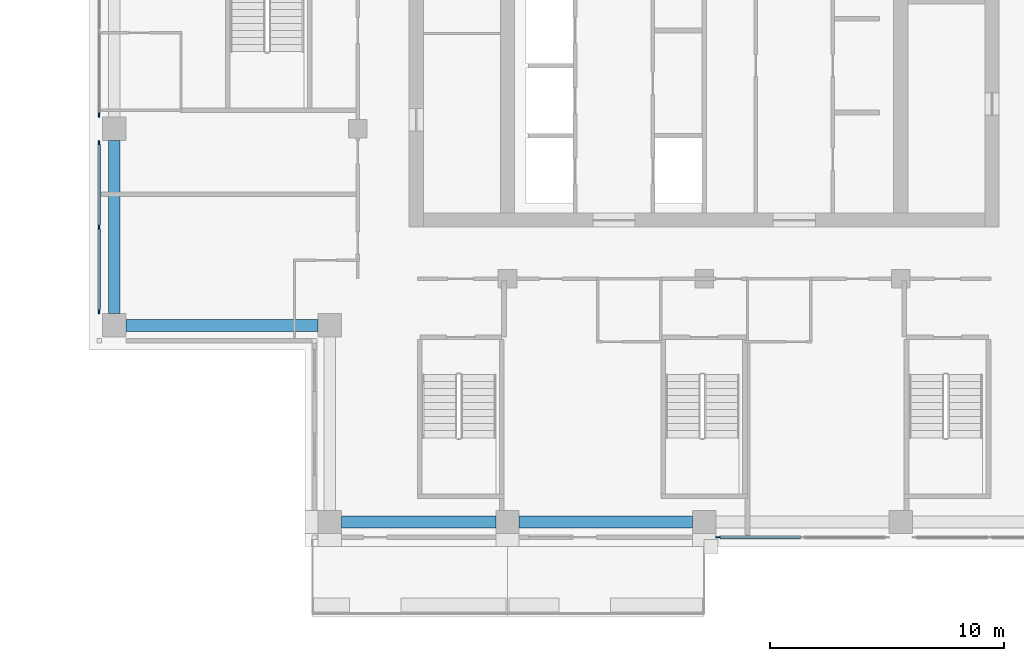
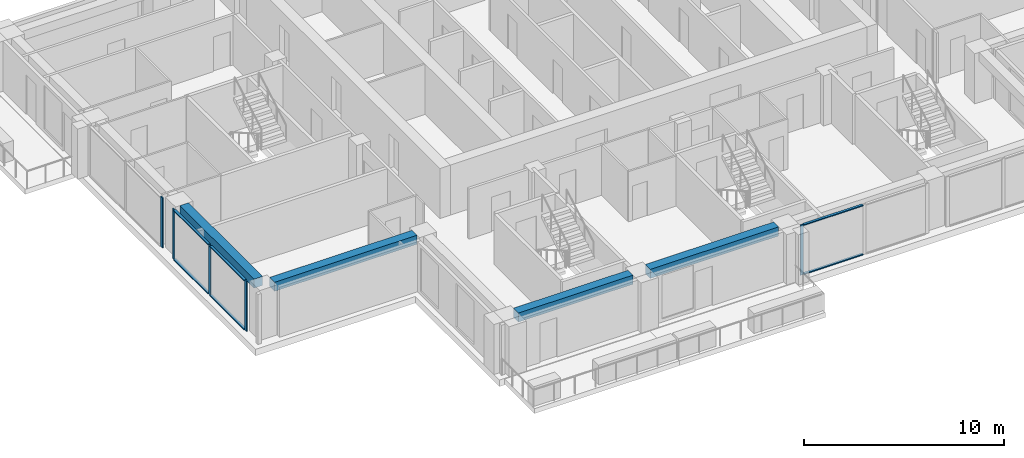
# One storey, part 2 of 15: 11 members, 4 beams, 3 elements without a shape of their own.
"""IFC4 building model written with IfcOpenShell, lengths in metres."""

from ifc_helpers import new_model, si_unit, direction, frame, origin, origin_2d, place, context, subcontext, project, spatial, rectangle, extrude, material, material_profile, profile_set, type_object, element, aggregate, save


model = new_model("IFC4")

# Units and contexts
model_context = context("Model", 3, precision=1e-05, world=origin(), true_north=direction((0.0, 1.0)))
body_context = subcontext(model_context, "Body", "Model", "MODEL_VIEW")
ifc_project = project(units=[si_unit("LENGTHUNIT", "METRE"), si_unit("AREAUNIT", "SQUARE_METRE"), si_unit("VOLUMEUNIT", "CUBIC_METRE"), si_unit("PLANEANGLEUNIT", "RADIAN"), si_unit("MASSUNIT", "GRAM", prefix="KILO")], contexts=[model_context])

# Site, building, storey
site_placement = place(None, origin())
site = spatial("IfcSite", under=ifc_project, at=site_placement, CompositionType="ELEMENT")
building_placement = place(site_placement, origin())
building = spatial("IfcBuilding", under=site, at=building_placement, Name="Vermilion Ogive Tower", CompositionType="ELEMENT")
storey_placement = place(building_placement, frame((0.0, 0.0, 210.050048828125)))
storey = spatial("IfcBuildingStorey", under=building, at=storey_placement, Name="L55", CompositionType="ELEMENT", Elevation=210.050048828125)

# Curtain wall, member
ifc_material_1 = material(Name="Low-iron laminated glazing in aluminium frame", Category="aluminium")
curtain_wall_type = type_object("IfcCurtainWallType", Name="Curtain wall CW7", PredefinedType="NOTDEFINED", material=ifc_material_1)
curtain_wall_1_placement = place(storey_placement, origin())
curtain_wall_1 = element("IfcCurtainWall", 1, at=curtain_wall_1_placement, inside=storey, type_object=curtain_wall_type, Name="Glazed skin S3", PredefinedType="NOTDEFINED")
ifc_material_2 = material(Name="Aluminium mullion", Category="aluminium")
ifc_material_profile_1 = material_profile(ifc_material_2, rectangle(XDim=0.06005859375, YDim=0.179931640625, at=origin_2d()), Name="AL 60x180")
ifc_profile_set_1 = profile_set([ifc_material_profile_1], Name="Aluminium mullion")
member_type_1 = type_object("IfcMemberType", Name="CW7 mullion 60x180", PredefinedType="MULLION", material=ifc_profile_set_1)
member_1_placement = place(storey_placement, frame((0.590087890625, -21.64990234375, 0.0), z_axis=(0.0, 0.0, 1.0), x_axis=(0.0, 1.0, 0.0)))
member_1 = element("IfcMember", 2, at=member_1_placement, type_object=member_type_1, Name="CW7-S3 mullion 1", PredefinedType="MULLION", context=body_context, shape_type="SweptSolid", body=[
    extrude(rectangle(XDim=0.06005859375, YDim=0.179931640625, at=origin_2d()), origin(), (0.0, 0.0, 1.0), 3.050048828125),
])

curtain_wall_2_placement = place(storey_placement, origin())
curtain_wall_2 = element("IfcCurtainWall", 3, at=curtain_wall_2_placement, inside=storey, type_object=curtain_wall_type, Name="Glazed skin W2", PredefinedType="NOTDEFINED")
member_2_placement = place(storey_placement, frame((-25.85009765625, -3.610107421875, 0.0), z_axis=(0.0, 0.0, 1.0), x_axis=(1.0, 0.0, 0.0)))
member_2 = element("IfcMember", 4, at=member_2_placement, type_object=member_type_1, Name="CW7-W2 mullion 3", PredefinedType="MULLION", context=body_context, shape_type="SweptSolid", body=[
    extrude(rectangle(XDim=0.06005859375, YDim=0.179931640625, at=origin_2d()), origin(), (0.0, 0.0, 1.0), 3.050048828125),
])
aggregate(curtain_wall_2, [member_2])

# Curtain wall, members
curtain_wall_3_placement = place(storey_placement, origin())
curtain_wall_3 = element("IfcCurtainWall", 5, at=curtain_wall_3_placement, inside=storey, type_object=curtain_wall_type, Name="Glazed skin W3", PredefinedType="NOTDEFINED")
member_3_placement = place(storey_placement, frame((-25.85009765625, -4.7900390625, 0.0), z_axis=(0.0, 0.0, 1.0), x_axis=(1.0, 0.0, 0.0)))
member_3 = element("IfcMember", 6, at=member_3_placement, type_object=member_type_1, Name="CW7-W3 mullion 1", PredefinedType="MULLION", context=body_context, shape_type="SweptSolid", body=[
    extrude(rectangle(XDim=0.06005859375, YDim=0.179931640625, at=origin_2d()), origin(), (0.0, 0.0, 1.0), 3.050048828125),
])
member_4_placement = place(storey_placement, frame((-25.85009765625, -8.39990234375, 0.0), z_axis=(0.0, 0.0, 1.0), x_axis=(1.0, 0.0, 0.0)))
member_4 = element("IfcMember", 7, at=member_4_placement, type_object=member_type_1, Name="CW7-W3 mullion 2", PredefinedType="MULLION", context=body_context, shape_type="SweptSolid", body=[
    extrude(rectangle(XDim=0.06005859375, YDim=0.179931640625, at=origin_2d()), origin(), (0.0, 0.0, 1.0), 3.050048828125),
])
member_5_placement = place(storey_placement, frame((-25.85009765625, -12.010009765625, 0.0), z_axis=(0.0, 0.0, 1.0), x_axis=(1.0, 0.0, 0.0)))
member_5 = element("IfcMember", 8, at=member_5_placement, type_object=member_type_1, Name="CW7-W3 mullion 3", PredefinedType="MULLION", context=body_context, shape_type="SweptSolid", body=[
    extrude(rectangle(XDim=0.06005859375, YDim=0.179931640625, at=origin_2d()), origin(), (0.0, 0.0, 1.0), 3.050048828125),
])

# Member
ifc_material_3 = material(Name="Aluminium transom", Category="aluminium")
ifc_material_profile_2 = material_profile(ifc_material_3, rectangle(XDim=0.139892578125, YDim=0.06005859375, at=origin_2d()), Name="AL 60x140")
ifc_profile_set_2 = profile_set([ifc_material_profile_2], Name="Aluminium transom")
member_type_2 = type_object("IfcMemberType", Name="CW7 transom 60x140", PredefinedType="USERDEFINED", material=ifc_profile_set_2)
member_6_placement = place(storey_placement, frame((0.679931640625, -21.64990234375, 0.030029296875), z_axis=(1.0, 0.0, 0.0), x_axis=(0.0, 1.0, 0.0)))
member_6 = element("IfcMember", 9, at=member_6_placement, type_object=member_type_2, Name="CW7-S3 transom 1.1", ObjectType="TRANSOM", PredefinedType="USERDEFINED", context=body_context, shape_type="SweptSolid", body=[
    extrude(rectangle(XDim=0.139892578125, YDim=0.06005859375, at=origin_2d()), origin(), (0.0, 0.0, 1.0), 3.43017578125),
])

member_7_placement = place(storey_placement, frame((0.679931640625, -21.64990234375, 3.02001953125), z_axis=(1.0, 0.0, 0.0), x_axis=(0.0, 1.0, 0.0)))
member_7 = element("IfcMember", 10, at=member_7_placement, type_object=member_type_2, Name="CW7-S3 transom 1.2", ObjectType="TRANSOM", PredefinedType="USERDEFINED", context=body_context, shape_type="SweptSolid", body=[
    extrude(rectangle(XDim=0.139892578125, YDim=0.06005859375, at=origin_2d()), origin(), (0.0, 0.0, 1.0), 3.43017578125),
])

aggregate(curtain_wall_1, [member_1, member_6, member_7])

member_8_placement = place(storey_placement, frame((-25.85009765625, -4.8798828125, 0.030029296875), z_axis=(0.0, -1.0, 0.0), x_axis=(1.0, 0.0, 0.0)))
member_8 = element("IfcMember", 11, at=member_8_placement, type_object=member_type_2, Name="CW7-W3 transom 1.1", ObjectType="TRANSOM", PredefinedType="USERDEFINED", context=body_context, shape_type="SweptSolid", body=[
    extrude(rectangle(XDim=0.139892578125, YDim=0.06005859375, at=origin_2d()), origin(), (0.0, 0.0, 1.0), 3.43017578125),
])

member_9_placement = place(storey_placement, frame((-25.85009765625, -4.8798828125, 3.02001953125), z_axis=(0.0, -1.0, 0.0), x_axis=(1.0, 0.0, 0.0)))
member_9 = element("IfcMember", 12, at=member_9_placement, type_object=member_type_2, Name="CW7-W3 transom 1.2", ObjectType="TRANSOM", PredefinedType="USERDEFINED", context=body_context, shape_type="SweptSolid", body=[
    extrude(rectangle(XDim=0.139892578125, YDim=0.06005859375, at=origin_2d()), origin(), (0.0, 0.0, 1.0), 3.43017578125),
])

member_10_placement = place(storey_placement, frame((-25.85009765625, -8.489990234375, 0.030029296875), z_axis=(0.0, -1.0, 0.0), x_axis=(1.0, 0.0, 0.0)))
member_10 = element("IfcMember", 13, at=member_10_placement, type_object=member_type_2, Name="CW7-W3 transom 2.1", ObjectType="TRANSOM", PredefinedType="USERDEFINED", context=body_context, shape_type="SweptSolid", body=[
    extrude(rectangle(XDim=0.139892578125, YDim=0.06005859375, at=origin_2d()), origin(), (0.0, 0.0, 1.0), 3.429931640625),
])

member_11_placement = place(storey_placement, frame((-25.85009765625, -8.489990234375, 3.02001953125), z_axis=(0.0, -1.0, 0.0), x_axis=(1.0, 0.0, 0.0)))
member_11 = element("IfcMember", 14, at=member_11_placement, type_object=member_type_2, Name="CW7-W3 transom 2.2", ObjectType="TRANSOM", PredefinedType="USERDEFINED", context=body_context, shape_type="SweptSolid", body=[
    extrude(rectangle(XDim=0.139892578125, YDim=0.06005859375, at=origin_2d()), origin(), (0.0, 0.0, 1.0), 3.429931640625),
])

aggregate(curtain_wall_3, [member_3, member_4, member_5, member_8, member_9, member_10, member_11])

# Beams
ifc_material_4 = material(Name="Concrete B45", Category="concrete")
ifc_material_profile_3 = material_profile(ifc_material_4, rectangle(XDim=0.5, YDim=0.550048828125, at=origin_2d()), Name="500 x 550")
ifc_profile_set_3 = profile_set([ifc_material_profile_3], Name="Concrete B45")
beam_type = type_object("IfcBeamType", Name="Edge beam 500 x 550 B45", PredefinedType="BEAM", material=ifc_profile_set_3)
beam_1_placement = place(storey_placement, frame((-15.5, -21.0, 2.77490234375), z_axis=(1.0, 0.0, 0.0), x_axis=(0.0, 1.0, 0.0)))
element("IfcBeam", 15, at=beam_1_placement, inside=storey, type_object=beam_type, Name="L55-EB-1", PredefinedType="BEAM", context=body_context, shape_type="SweptSolid", body=[
    extrude(rectangle(XDim=0.5, YDim=0.550048828125, at=origin_2d()), origin(), (0.0, 0.0, 1.0), 6.60009765625),
])
beam_2_placement = place(storey_placement, frame((-7.89990234375, -21.0, 2.77490234375), z_axis=(1.0, 0.0, 0.0), x_axis=(0.0, 1.0, 0.0)))
element("IfcBeam", 16, at=beam_2_placement, inside=storey, type_object=beam_type, Name="L55-EB-2", PredefinedType="BEAM", context=body_context, shape_type="SweptSolid", body=[
    extrude(rectangle(XDim=0.5, YDim=0.550048828125, at=origin_2d()), origin(), (0.0, 0.0, 1.0), 7.39990234375),
])
beam_3_placement = place(storey_placement, frame((-25.199951171875, -4.699951171875, 2.77490234375), z_axis=(0.0, -1.0, 0.0), x_axis=(1.0, 0.0, 0.0)))
element("IfcBeam", 17, at=beam_3_placement, inside=storey, type_object=beam_type, Name="L55-EB-16", PredefinedType="BEAM", context=body_context, shape_type="SweptSolid", body=[
    extrude(rectangle(XDim=0.5, YDim=0.550048828125, at=origin_2d()), origin(), (0.0, 0.0, 1.0), 7.400146484375),
])
beam_4_placement = place(storey_placement, frame((-24.699951171875, -12.60009765625, 2.77490234375), z_axis=(1.0, 0.0, 0.0), x_axis=(0.0, 1.0, 0.0)))
element("IfcBeam", 18, at=beam_4_placement, inside=storey, type_object=beam_type, Name="L55-EB-17", PredefinedType="BEAM", context=body_context, shape_type="SweptSolid", body=[
    extrude(rectangle(XDim=0.5, YDim=0.550048828125, at=origin_2d()), origin(), (0.0, 0.0, 1.0), 8.199951171875),
])

save(model, "model.ifc")
